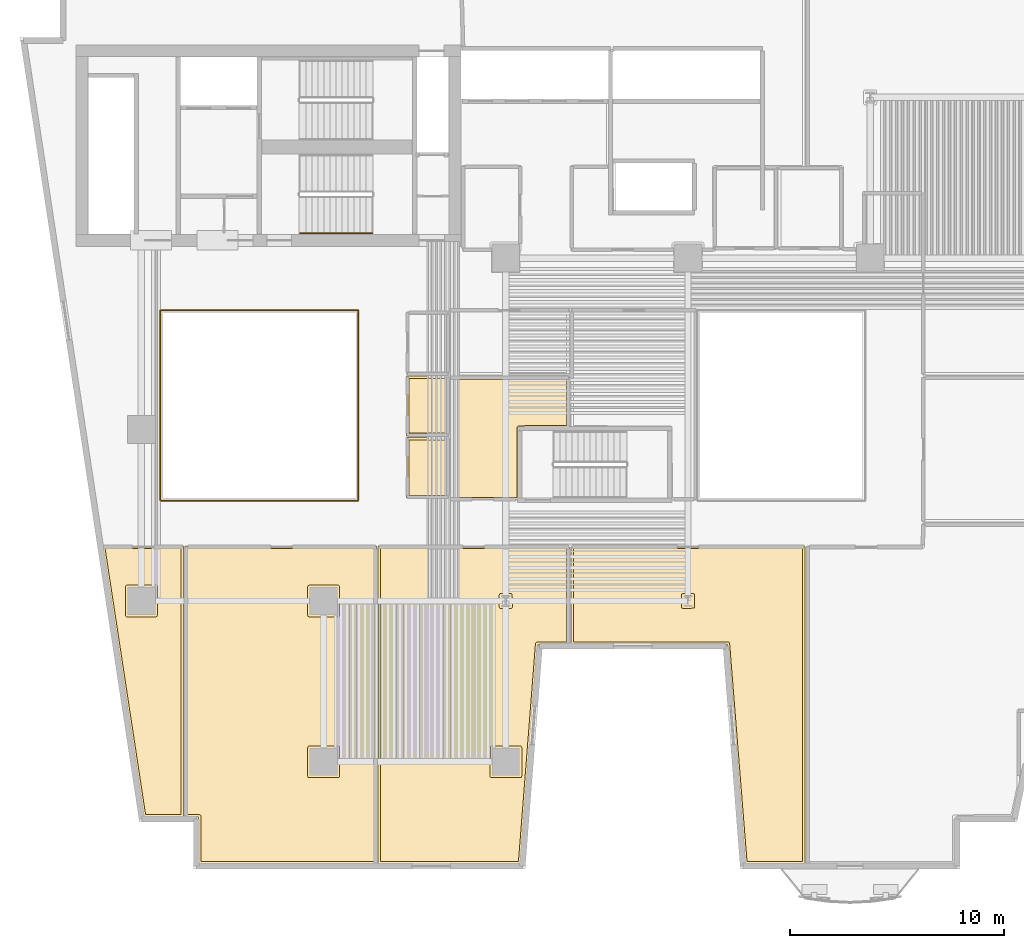
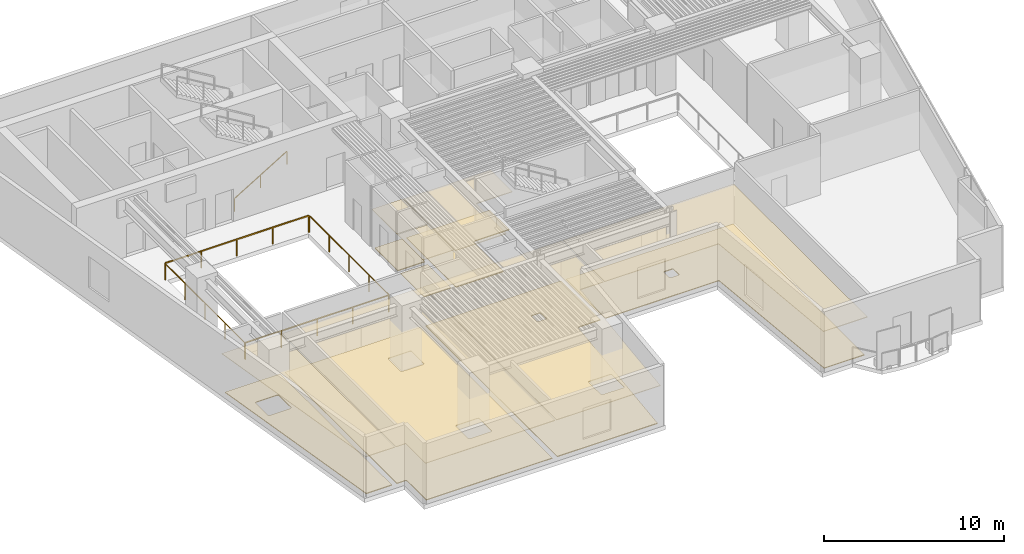
# One storey, part 8 of 12: 14 coverings, 5 railings.
"""IFC4 building model written with IfcOpenShell, lengths in metres."""

from ifc_helpers import new_model, si_unit, direction, frame, origin, origin_2d, place, context, subcontext, project, spatial, polyline, rectangle, outline, extrude, material, layer, layer_set, type_object, element, save


model = new_model("IFC4")

# Units and contexts
model_context = context("Model", 3, precision=1e-05, world=origin(), true_north=direction((0.0, 1.0)))
body_context = subcontext(model_context, "Body", "Model", "MODEL_VIEW")
ifc_project = project(units=[si_unit("LENGTHUNIT", "METRE"), si_unit("AREAUNIT", "SQUARE_METRE"), si_unit("VOLUMEUNIT", "CUBIC_METRE"), si_unit("PLANEANGLEUNIT", "RADIAN"), si_unit("MASSUNIT", "GRAM", prefix="KILO")], contexts=[model_context])

# Site, building, storey
site_placement = place(None, origin())
site = spatial("IfcSite", under=ifc_project, at=site_placement, CompositionType="ELEMENT")
building_placement = place(site_placement, origin())
building = spatial("IfcBuilding", under=site, at=building_placement, Name="Caeloran Harvest Quay", CompositionType="ELEMENT")
storey_placement = place(building_placement, frame((0.0, 0.0, 84.199951171875)))
storey = spatial("IfcBuildingStorey", under=building, at=storey_placement, Name="L19", CompositionType="ELEMENT", Elevation=84.199951171875)

# Coverings
ifc_material_1 = material(Name="Perforated Mineral-Fibre Acoustic Ceiling Tile", Category="ceiling")
ifc_layer_1 = layer(ifc_material_1, 0.0400390625, Name="Perforated Mineral-Fibre Acoustic Ceiling Tile")
ifc_layer_set_1 = layer_set([ifc_layer_1], Name="Perforated Mineral-Fibre Acoustic Ceiling Tile")
covering_type_1 = type_object("IfcCoveringType", Name="COV-CEILING-ACOUSTIC", PredefinedType="CEILING", material=ifc_layer_set_1)
covering_1_placement = place(storey_placement, frame((0.0, 0.0, 2.60009765625)))
element("IfcCovering", 1, at=covering_1_placement, inside=storey, type_object=covering_type_1, Name="L19 Female Washroom WC Acoustic Ceiling", PredefinedType="CEILING", context=body_context, shape_type="SweptSolid", body=[
    extrude(outline(polyline([(22.840087890625, 22.7099609375), (20.8701171875, 22.7099609375), (20.8701171875, 25.489990234375), (22.840087890625, 25.489990234375), (22.840087890625, 22.7099609375)])), origin(), (0.0, 0.0, 1.0), 0.0400390625),
])
covering_2_placement = place(storey_placement, frame((0.0, 0.0, 2.60009765625)))
element("IfcCovering", 2, at=covering_2_placement, inside=storey, type_object=covering_type_1, Name="L19 Accessible Unisex Washroom WC Acoustic Ceiling", PredefinedType="CEILING", context=body_context, shape_type="SweptSolid", body=[
    extrude(outline(polyline([(22.840087890625, 19.81005859375), (20.8701171875, 19.81005859375), (20.8701171875, 22.639892578125), (22.840087890625, 22.639892578125), (22.840087890625, 19.81005859375)])), origin(), (0.0, 0.0, 1.0), 0.0400390625),
])
covering_3_placement = place(storey_placement, frame((0.0, 0.0, 2.60009765625)))
element("IfcCovering", 3, at=covering_3_placement, inside=storey, type_object=covering_type_1, Name="Culinary Harvest Tasting Kitchen Acoustic Ceiling", PredefinedType="CEILING", context=body_context, shape_type="SweptSolid", body=[
    extrude(outline(polyline([(11.156982421875, 4.919921875), (10.5400390625, 4.919921875), (10.5400390625, 17.56005859375), (19.4599609375, 17.56005859375), (19.4599609375, 2.719970703125), (11.156982421875, 2.719970703125), (11.156982421875, 4.919921875)])), origin(), (0.0, 0.0, 1.0), 0.0400390625),
])
covering_4_placement = place(storey_placement, frame((0.0, 0.0, 2.60009765625)))
element("IfcCovering", 4, at=covering_4_placement, inside=storey, type_object=covering_type_1, Name="Botanical Workshop Studio Acoustic Ceiling", PredefinedType="CEILING", context=body_context, shape_type="SweptSolid", body=[
    extrude(outline(polyline([(26.199462890625, 2.719970703125), (19.5400390625, 2.719970703125), (19.5400390625, 17.56005859375), (28.4599609375, 17.56005859375), (28.4599609375, 12.969970703125), (26.99951171875, 12.969970703125), (26.199462890625, 2.719970703125)])), origin(), (0.0, 0.0, 1.0), 0.0400390625),
])
covering_5_placement = place(storey_placement, frame((0.0, 0.0, 2.60009765625)))
element("IfcCovering", 5, at=covering_5_placement, inside=storey, type_object=covering_type_1, Name="Gastronomy Seminar Room Acoustic Ceiling", PredefinedType="CEILING", context=body_context, shape_type="SweptSolid", body=[
    extrude(outline(polyline([(10.4599609375, 4.919921875), (8.59130859375, 4.919921875), (6.668701171875, 17.56005859375), (10.4599609375, 17.56005859375), (10.4599609375, 4.919921875)])), origin(), (0.0, 0.0, 1.0), 0.0400390625),
])
covering_6_placement = place(storey_placement, frame((0.0, 0.0, 2.60009765625)))
element("IfcCovering", 6, at=covering_6_placement, inside=storey, type_object=covering_type_1, Name="Seed Library Reading Lounge Acoustic Ceiling", PredefinedType="CEILING", context=body_context, shape_type="SweptSolid", body=[
    extrude(outline(polyline([(28.5400390625, 17.56005859375), (39.4599609375, 17.56005859375), (39.4599609375, 2.719970703125), (36.64404296875, 2.719970703125), (35.843994140625, 12.969970703125), (28.5400390625, 12.969970703125), (28.5400390625, 17.56005859375)])), origin(), (0.0, 0.0, 1.0), 0.0400390625),
])
covering_7_placement = place(storey_placement, frame((0.0, 0.0, 2.60009765625)))
element("IfcCovering", 7, at=covering_7_placement, inside=storey, type_object=covering_type_1, Name="Tasting Salon Lounge Acoustic Ceiling", PredefinedType="CEILING", context=body_context, shape_type="SweptSolid", body=[
    extrude(outline(polyline([(26.139892578125, 23.06005859375), (26.139892578125, 19.7099609375), (22.8701171875, 19.7099609375), (22.8701171875, 25.4599609375), (28.4599609375, 25.4599609375), (28.4599609375, 23.06005859375), (26.139892578125, 23.06005859375)])), origin(), (0.0, 0.0, 1.0), 0.0400390625),
])
ifc_material_2 = material(Name="Calcium-Sulphate Raised Access Floor and Terrazzo Finish", Category="flooring")
ifc_layer_2 = layer(ifc_material_2, 0.050048828125, Name="Calcium-Sulphate Raised Access Floor and Terrazzo Finish")
ifc_layer_set_2 = layer_set([ifc_layer_2], Name="Calcium-Sulphate Raised Access Floor and Terrazzo Finish")
covering_type_2 = type_object("IfcCoveringType", Name="COV-FLOOR-RAISED", PredefinedType="FLOORING", material=ifc_layer_set_2)
covering_8_placement = place(storey_placement, origin())
element("IfcCovering", 8, at=covering_8_placement, inside=storey, type_object=covering_type_2, Name="L19 Female Washroom WC Raised Finish Flooring", PredefinedType="FLOORING", context=body_context, shape_type="SweptSolid", body=[
    extrude(outline(polyline([(22.719970703125, 22.830078125), (20.989990234375, 22.830078125), (20.989990234375, 25.3701171875), (22.719970703125, 25.3701171875), (22.719970703125, 22.830078125)])), origin(), (0.0, 0.0, 1.0), 0.050048828125),
])
covering_9_placement = place(storey_placement, origin())
element("IfcCovering", 9, at=covering_9_placement, inside=storey, type_object=covering_type_2, Name="L19 Accessible Unisex Washroom WC Raised Finish Flooring", PredefinedType="FLOORING", context=body_context, shape_type="SweptSolid", body=[
    extrude(outline(polyline([(22.719970703125, 19.929931640625), (20.989990234375, 19.929931640625), (20.989990234375, 22.52001953125), (22.719970703125, 22.52001953125), (22.719970703125, 19.929931640625)])), origin(), (0.0, 0.0, 1.0), 0.050048828125),
])
covering_10_placement = place(storey_placement, origin())
element("IfcCovering", 10, at=covering_10_placement, inside=storey, type_object=covering_type_2, Name="Culinary Harvest Tasting Kitchen Raised Finish Flooring", PredefinedType="FLOORING", context=body_context, shape_type="SweptSolid", body=[
    extrude(outline(polyline([(19.340087890625, 2.840087890625), (11.277099609375, 2.840087890625), (11.273681640625, 4.983154296875), (11.204833984375, 5.03955078125), (10.659912109375, 5.0400390625), (10.659912109375, 17.43994140625), (19.340087890625, 17.43994140625), (19.340087890625, 2.840087890625)]), holes=[polyline([(16.3349609375, 8.2451171875), (16.2783203125, 8.2216796875), (16.2548828125, 8.1650390625), (16.2548828125, 6.8349609375), (16.2783203125, 6.7783203125), (16.3349609375, 6.7548828125), (17.6650390625, 6.7548828125), (17.7216796875, 6.7783203125), (17.7451171875, 6.8349609375), (17.7451171875, 8.1650390625), (17.7216796875, 8.2216796875), (17.6650390625, 8.2451171875), (16.3349609375, 8.2451171875)]), polyline([(17.7451171875, 15.6650390625), (17.7216796875, 15.7216796875), (17.6650390625, 15.7451171875), (16.3349609375, 15.7451171875), (16.2783203125, 15.7216796875), (16.2548828125, 15.6650390625), (16.2548828125, 14.3349609375), (16.2783203125, 14.2783203125), (16.3349609375, 14.2548828125), (17.6650390625, 14.2548828125), (17.7216796875, 14.2783203125), (17.7451171875, 14.3349609375), (17.7451171875, 15.6650390625)])]), origin(), (0.0, 0.0, 1.0), 0.050048828125),
])
covering_11_placement = place(storey_placement, origin())
element("IfcCovering", 11, at=covering_11_placement, inside=storey, type_object=covering_type_2, Name="Botanical Workshop Studio Raised Finish Flooring", PredefinedType="FLOORING", context=body_context, shape_type="SweptSolid", body=[
    extrude(outline(polyline([(26.96240234375, 13.090087890625), (26.9052734375, 13.06591796875), (26.8828125, 13.01611328125), (26.08837890625, 2.840087890625), (19.659912109375, 2.840087890625), (19.659912109375, 17.43994140625), (28.340087890625, 17.43994140625), (28.340087890625, 13.090087890625), (26.96240234375, 13.090087890625)]), holes=[polyline([(26.2451171875, 8.1650390625), (26.2216796875, 8.2216796875), (26.1650390625, 8.2451171875), (24.8349609375, 8.2451171875), (24.7783203125, 8.2216796875), (24.7548828125, 8.1650390625), (24.7548828125, 6.8349609375), (24.7783203125, 6.7783203125), (24.8349609375, 6.7548828125), (26.1650390625, 6.7548828125), (26.2216796875, 6.7783203125), (26.2451171875, 6.8349609375), (26.2451171875, 8.1650390625)]), polyline([(25.8134765625, 14.72802734375), (25.79541015625, 15.32275390625), (25.7412109375, 15.3515625), (25.2666015625, 15.35205078125), (25.2099609375, 15.32861328125), (25.1865234375, 15.27197265625), (25.1865234375, 14.72802734375), (25.2099609375, 14.67138671875), (25.2666015625, 14.64794921875), (25.7333984375, 14.64794921875), (25.7900390625, 14.67138671875), (25.8134765625, 14.72802734375)])]), origin(), (0.0, 0.0, 1.0), 0.050048828125),
])
covering_12_placement = place(storey_placement, origin())
element("IfcCovering", 12, at=covering_12_placement, inside=storey, type_object=covering_type_2, Name="Gastronomy Seminar Room Raised Finish Flooring", PredefinedType="FLOORING", context=body_context, shape_type="SweptSolid", body=[
    extrude(outline(polyline([(10.340087890625, 17.43994140625), (10.340087890625, 5.0400390625), (8.694580078125, 5.0400390625), (6.80810546875, 17.43994140625), (10.340087890625, 17.43994140625)]), holes=[polyline([(9.2451171875, 15.6650390625), (9.2216796875, 15.7216796875), (9.1650390625, 15.7451171875), (7.8349609375, 15.7451171875), (7.7783203125, 15.7216796875), (7.7548828125, 15.6650390625), (7.7548828125, 14.3349609375), (7.7783203125, 14.2783203125), (7.8349609375, 14.2548828125), (9.1650390625, 14.2548828125), (9.2216796875, 14.2783203125), (9.2451171875, 14.3349609375), (9.2451171875, 15.6650390625)])]), origin(), (0.0, 0.0, 1.0), 0.050048828125),
])
covering_13_placement = place(storey_placement, origin())
element("IfcCovering", 13, at=covering_13_placement, inside=storey, type_object=covering_type_2, Name="Seed Library Reading Lounge Raised Finish Flooring", PredefinedType="FLOORING", context=body_context, shape_type="SweptSolid", body=[
    extrude(outline(polyline([(28.659912109375, 13.090087890625), (28.659912109375, 17.43994140625), (39.340087890625, 17.43994140625), (39.340087890625, 2.840087890625), (36.7548828125, 2.840087890625), (35.938232421875, 13.06591796875), (35.881103515625, 13.090087890625), (28.659912109375, 13.090087890625)]), holes=[polyline([(33.7666015625, 15.35205078125), (33.7099609375, 15.32861328125), (33.68701171875, 15.27978515625), (33.70458984375, 14.67724609375), (33.7666015625, 14.64794921875), (34.2841796875, 14.666259765625), (34.3134765625, 14.72802734375), (34.29541015625, 15.32275390625), (34.2412109375, 15.3515625), (33.7666015625, 15.35205078125)])]), origin(), (0.0, 0.0, 1.0), 0.050048828125),
])
covering_14_placement = place(storey_placement, origin())
element("IfcCovering", 14, at=covering_14_placement, inside=storey, type_object=covering_type_2, Name="Tasting Salon Lounge Raised Finish Flooring", PredefinedType="FLOORING", context=body_context, shape_type="SweptSolid", body=[
    extrude(outline(polyline([(26.101806640625, 23.17626953125), (26.04248046875, 23.13671875), (26.02001953125, 23.070068359375), (26.02001953125, 19.830078125), (22.989990234375, 19.830078125), (22.989990234375, 25.340087890625), (28.340087890625, 25.340087890625), (28.340087890625, 23.179931640625), (26.101806640625, 23.17626953125)])), origin(), (0.0, 0.0, 1.0), 0.050048828125),
])

# Railings
ifc_material_3 = material(Name="Powder-Coated Steel Post and Laminated Glass Guardrail", Category="steel")
ifc_layer_3 = layer(ifc_material_3, 0.06005859375, Name="Powder-Coated Steel Post and Laminated Glass Guardrail")
ifc_layer_set_3 = layer_set([ifc_layer_3], Name="Powder-Coated Steel Post and Laminated Glass Guardrail")
railing_type_1 = type_object("IfcRailingType", Name="GUARD-ATRIUM-1150", PredefinedType="GUARDRAIL", material=ifc_layer_set_3)
railing_1_placement = place(storey_placement, frame((9.412109375, 19.679931640625, 0.0)))
element("IfcRailing", 15, at=railing_1_placement, inside=storey, type_object=railing_type_1, Name="L19 Skylit Atrium Void Perimeter Guardrail Seg 1", PredefinedType="GUARDRAIL", context=body_context, shape_type="SweptSolid", body=[
    extrude(rectangle(XDim=0.048095703125, YDim=0.048095703125, at=origin_2d()), frame((0.0, 0.0, 1.1259765625), z_axis=(1.0, 0.0, 0.0), x_axis=(0.0, 1.0, 0.0)), (0.0, 0.0, 1.0), 9.17578125),
    extrude(rectangle(XDim=0.0419921875, YDim=0.0419921875, at=origin_2d()), origin(), (0.0, 0.0, 1.0), 1.101806640625),
    extrude(rectangle(XDim=0.0419921875, YDim=0.0419921875, at=origin_2d()), frame((2.2939453125, 0.0, 0.0)), (0.0, 0.0, 1.0), 1.101806640625),
    extrude(rectangle(XDim=0.0419921875, YDim=0.0419921875, at=origin_2d()), frame((4.587890625, 0.0, 0.0)), (0.0, 0.0, 1.0), 1.101806640625),
    extrude(rectangle(XDim=0.0419921875, YDim=0.0419921875, at=origin_2d()), frame((6.8818359375, 0.0, 0.0)), (0.0, 0.0, 1.0), 1.101806640625),
    extrude(rectangle(XDim=0.0419921875, YDim=0.0419921875, at=origin_2d()), frame((9.17578125, 0.0, 0.0)), (0.0, 0.0, 1.0), 1.101806640625),
])
railing_2_placement = place(storey_placement, frame((18.6201171875, 19.7119140625, 0.0)))
element("IfcRailing", 16, at=railing_2_placement, inside=storey, type_object=railing_type_1, Name="L19 Skylit Atrium Void Perimeter Guardrail Seg 2", PredefinedType="GUARDRAIL", context=body_context, shape_type="SweptSolid", body=[
    extrude(rectangle(XDim=0.048095703125, YDim=0.048095703125, at=origin_2d()), frame((0.0, 0.0, 1.1259765625), z_axis=(0.0, 1.0, 0.0), x_axis=(-1.0, 0.0, 0.0)), (0.0, 0.0, 1.0), 8.826171875),
    extrude(rectangle(XDim=0.0419921875, YDim=0.0419921875, at=origin_2d()), origin(), (0.0, 0.0, 1.0), 1.101806640625),
    extrude(rectangle(XDim=0.0419921875, YDim=0.0419921875, at=origin_2d()), frame((0.0, 2.20654296875, 0.0)), (0.0, 0.0, 1.0), 1.101806640625),
    extrude(rectangle(XDim=0.0419921875, YDim=0.0419921875, at=origin_2d()), frame((0.0, 4.4130859375, 0.0)), (0.0, 0.0, 1.0), 1.101806640625),
    extrude(rectangle(XDim=0.0419921875, YDim=0.0419921875, at=origin_2d()), frame((0.0, 6.61962890625, 0.0)), (0.0, 0.0, 1.0), 1.101806640625),
    extrude(rectangle(XDim=0.0419921875, YDim=0.0419921875, at=origin_2d()), frame((0.0, 8.826171875, 0.0)), (0.0, 0.0, 1.0), 1.101806640625),
])
railing_3_placement = place(storey_placement, frame((18.587890625, 28.570068359375, 0.0)))
element("IfcRailing", 17, at=railing_3_placement, inside=storey, type_object=railing_type_1, Name="L19 Skylit Atrium Void Perimeter Guardrail Seg 3", PredefinedType="GUARDRAIL", context=body_context, shape_type="SweptSolid", body=[
    extrude(rectangle(XDim=0.048095703125, YDim=0.048095703125, at=origin_2d()), frame((0.0, 0.0, 1.1259765625), z_axis=(-1.0, 0.0, 0.0), x_axis=(0.0, -1.0, 0.0)), (0.0, 0.0, 1.0), 9.17578125),
    extrude(rectangle(XDim=0.0419921875, YDim=0.0419921875, at=origin_2d()), origin(), (0.0, 0.0, 1.0), 1.101806640625),
    extrude(rectangle(XDim=0.0419921875, YDim=0.0419921875, at=origin_2d()), frame((-2.2939453125, 0.0, 0.0)), (0.0, 0.0, 1.0), 1.101806640625),
    extrude(rectangle(XDim=0.0419921875, YDim=0.0419921875, at=origin_2d()), frame((-4.587890625, 0.0, 0.0)), (0.0, 0.0, 1.0), 1.101806640625),
    extrude(rectangle(XDim=0.0419921875, YDim=0.0419921875, at=origin_2d()), frame((-6.8818359375, 0.0, 0.0)), (0.0, 0.0, 1.0), 1.101806640625),
    extrude(rectangle(XDim=0.0419921875, YDim=0.0419921875, at=origin_2d()), frame((-9.17578125, 0.0, 0.0)), (0.0, 0.0, 1.0), 1.101806640625),
])
railing_4_placement = place(storey_placement, frame((9.3798828125, 28.5380859375, 0.0)))
element("IfcRailing", 18, at=railing_4_placement, inside=storey, type_object=railing_type_1, Name="L19 Skylit Atrium Void Perimeter Guardrail Seg 4", PredefinedType="GUARDRAIL", context=body_context, shape_type="SweptSolid", body=[
    extrude(rectangle(XDim=0.048095703125, YDim=0.048095703125, at=origin_2d()), frame((0.0, 0.0, 1.1259765625), z_axis=(0.0, -1.0, 0.0), x_axis=(1.0, 0.0, 0.0)), (0.0, 0.0, 1.0), 8.826171875),
    extrude(rectangle(XDim=0.0419921875, YDim=0.0419921875, at=origin_2d()), origin(), (0.0, 0.0, 1.0), 1.101806640625),
    extrude(rectangle(XDim=0.0419921875, YDim=0.0419921875, at=origin_2d()), frame((0.0, -2.20654296875, 0.0)), (0.0, 0.0, 1.0), 1.101806640625),
    extrude(rectangle(XDim=0.0419921875, YDim=0.0419921875, at=origin_2d()), frame((0.0, -4.4130859375, 0.0)), (0.0, 0.0, 1.0), 1.101806640625),
    extrude(rectangle(XDim=0.0419921875, YDim=0.0419921875, at=origin_2d()), frame((0.0, -6.61962890625, 0.0)), (0.0, 0.0, 1.0), 1.101806640625),
    extrude(rectangle(XDim=0.0419921875, YDim=0.0419921875, at=origin_2d()), frame((0.0, -8.826171875, 0.0)), (0.0, 0.0, 1.0), 1.101806640625),
])
ifc_material_4 = material(Name="Brushed Stainless Steel Grade 304", Category="steel")
ifc_layer_4 = layer(ifc_material_4, 0.050048828125, Name="Brushed Stainless Steel Grade 304")
ifc_layer_set_4 = layer_set([ifc_layer_4], Name="Brushed Stainless Steel Grade 304")
railing_type_2 = type_object("IfcRailingType", Name="STAIR-HANDRAIL-900", PredefinedType="HANDRAIL", material=ifc_layer_set_4)
railing_5_placement = place(storey_placement, frame((15.89990234375, 32.14990234375, 0.169189453125)))
element("IfcRailing", 19, at=railing_5_placement, inside=storey, type_object=railing_type_2, Name="L19 ST-C2 stair handrail 1", PredefinedType="HANDRAIL", context=body_context, shape_type="SweptSolid", body=[
    extrude(rectangle(XDim=0.048095703125, YDim=0.048095703125, at=origin_2d()), frame((0.0, 0.0, 0.8759765625), z_axis=(0.855836976705, 0.0, 0.517245656632), x_axis=(0.0, 1.0, 0.0)), (0.0, 0.0, 1.0), 3.926025390625),
    extrude(rectangle(XDim=0.0419921875, YDim=0.0419921875, at=origin_2d()), origin(), (0.0, 0.0, 1.0), 0.851806640625),
    extrude(rectangle(XDim=0.0419921875, YDim=0.0419921875, at=origin_2d()), frame((1.68017578125, 0.0, 1.015380859375)), (0.0, 0.0, 1.0), 0.851806640625),
    extrude(rectangle(XDim=0.0419921875, YDim=0.0419921875, at=origin_2d()), frame((3.360107421875, 0.0, 2.03076171875)), (0.0, 0.0, 1.0), 0.851806640625),
])

save(model, "model.ifc")
